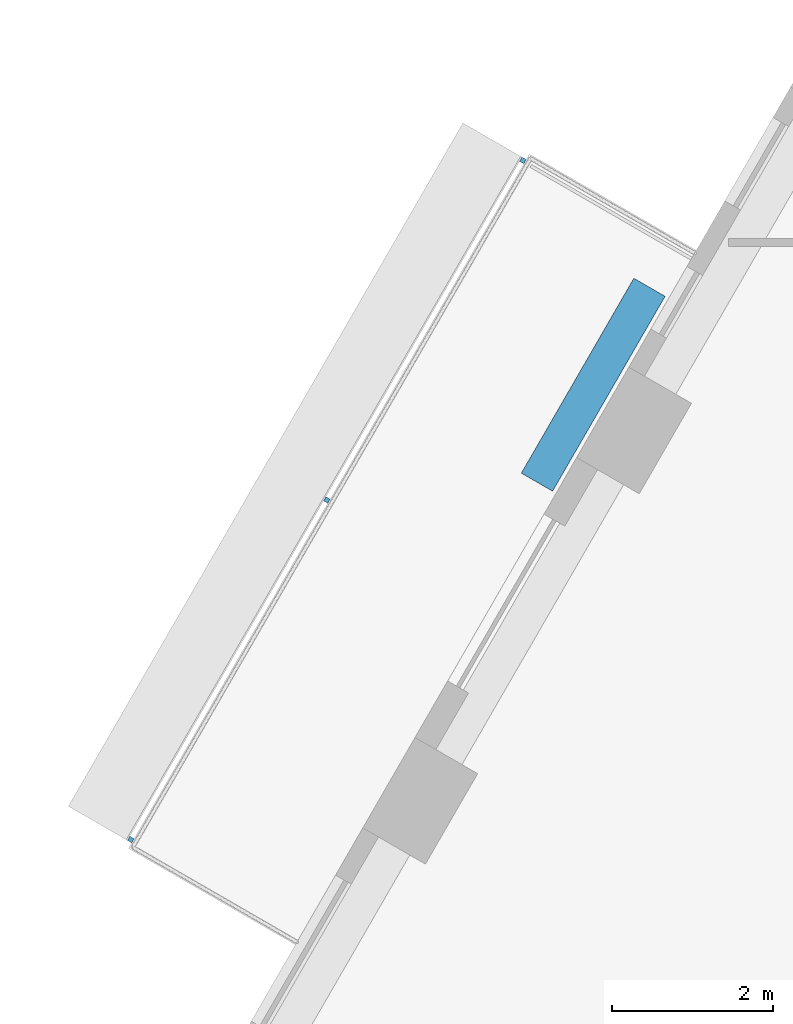
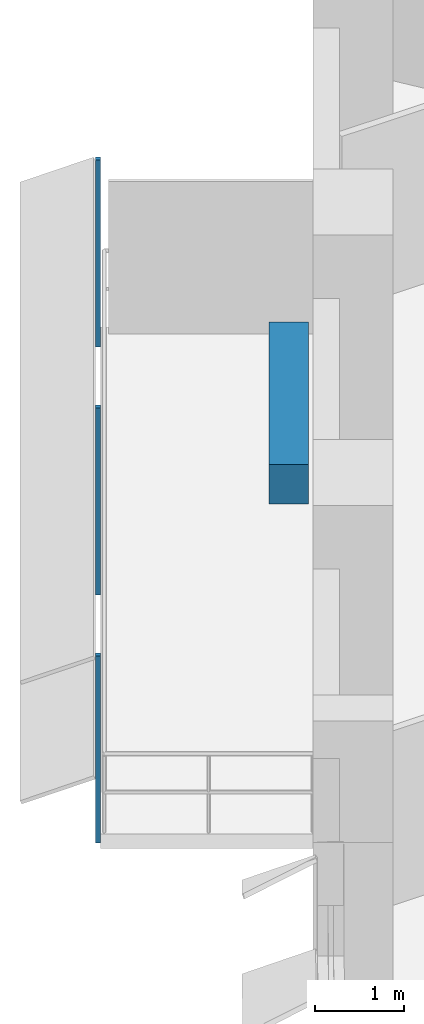
# One storey, part 10 of 13: 4 discrete accessories.
"""IFC4 building model written with IfcOpenShell, lengths in metres."""

from ifc_helpers import new_model, si_unit, direction, frame, origin, origin_2d, place, context, subcontext, project, spatial, rectangle, extrude, material, type_object, element, save


model = new_model("IFC4")

# Units and contexts
model_context = context("Model", 3, precision=1e-05, world=origin(), true_north=direction((0.0, 1.0)))
body_context = subcontext(model_context, "Body", "Model", "MODEL_VIEW")
ifc_project = project(units=[si_unit("LENGTHUNIT", "METRE"), si_unit("AREAUNIT", "SQUARE_METRE"), si_unit("VOLUMEUNIT", "CUBIC_METRE"), si_unit("PLANEANGLEUNIT", "RADIAN"), si_unit("MASSUNIT", "GRAM", prefix="KILO")], contexts=[model_context])

# Site, building, storey
site_placement = place(None, origin())
site = spatial("IfcSite", under=ifc_project, at=site_placement, CompositionType="ELEMENT")
building_placement = place(site_placement, origin())
building = spatial("IfcBuilding", under=site, at=building_placement, Name="Nakaniwa Court", CompositionType="ELEMENT")
storey_placement = place(building_placement, frame((0.0, 0.0, 147.0)))
storey = spatial("IfcBuildingStorey", under=building, at=storey_placement, Name="L38", CompositionType="ELEMENT", Elevation=147.0)

# Discrete accessories
ifc_material_1 = material(Name="Black powder-coated steel bracket S275", Category="steel")
discrete_accessory_type_1 = type_object("IfcDiscreteAccessoryType", Name="Black metal louvre bracket", PredefinedType="BRACKET", material=ifc_material_1)
for number, where, z_axis, x_axis, name in (
    (1, (60.970458984375, 99.899658203125, -0.22998046875), (0.0, 0.0, 1.0), (-0.500004534492, -0.866022785779, 0.0), "L38 louvre bracket 01 1"),
    (2, (58.52880859375, 95.6708984375, -0.22998046875), (0.0, 0.0, 1.0), (-0.500004534492, -0.866022785779, 0.0), "L38 louvre bracket 01 2"),
    (3, (56.08740234375, 91.442138671875, -0.22998046875), (0.0, 0.0, 1.0), (-0.500004534492, -0.866022785779, 0.0), "L38 louvre bracket 01 3"),
):
    element("IfcDiscreteAccessory", number, at=place(storey_placement, frame(where, z_axis=z_axis, x_axis=x_axis)), inside=storey, type_object=discrete_accessory_type_1, Name=name, PredefinedType="BRACKET", context=body_context, shape_type="SweptSolid", body=[
        extrude(rectangle(XDim=0.06005859375, YDim=0.06005859375, at=origin_2d()), origin(), (0.0, 0.0, 1.0), 2.5751953125),
    ])
ifc_material_2 = material(Name="Precast concrete C40/50 planter with planted soil", Category="concrete")
discrete_accessory_type_2 = type_object("IfcDiscreteAccessoryType", Name="Planter box charcoal concrete", PredefinedType="USERDEFINED", material=ifc_material_2)
discrete_accessory_placement = place(storey_placement, frame((61.845947265625, 97.106201171875, -0.0498046875), z_axis=(0.0, 0.0, 1.0), x_axis=(-0.500004534492, -0.866022785779, 0.0)))
element("IfcDiscreteAccessory", 4, at=discrete_accessory_placement, inside=storey, type_object=discrete_accessory_type_2, Name="L38 balcony PLANTER 01", ObjectType="PLANTER", PredefinedType="USERDEFINED", context=body_context, shape_type="SweptSolid", body=[
    extrude(rectangle(XDim=2.802978515625, YDim=0.449951171875, at=origin_2d()), origin(), (0.0, 0.0, 1.0), 0.550048828125),
])

save(model, "model.ifc")
